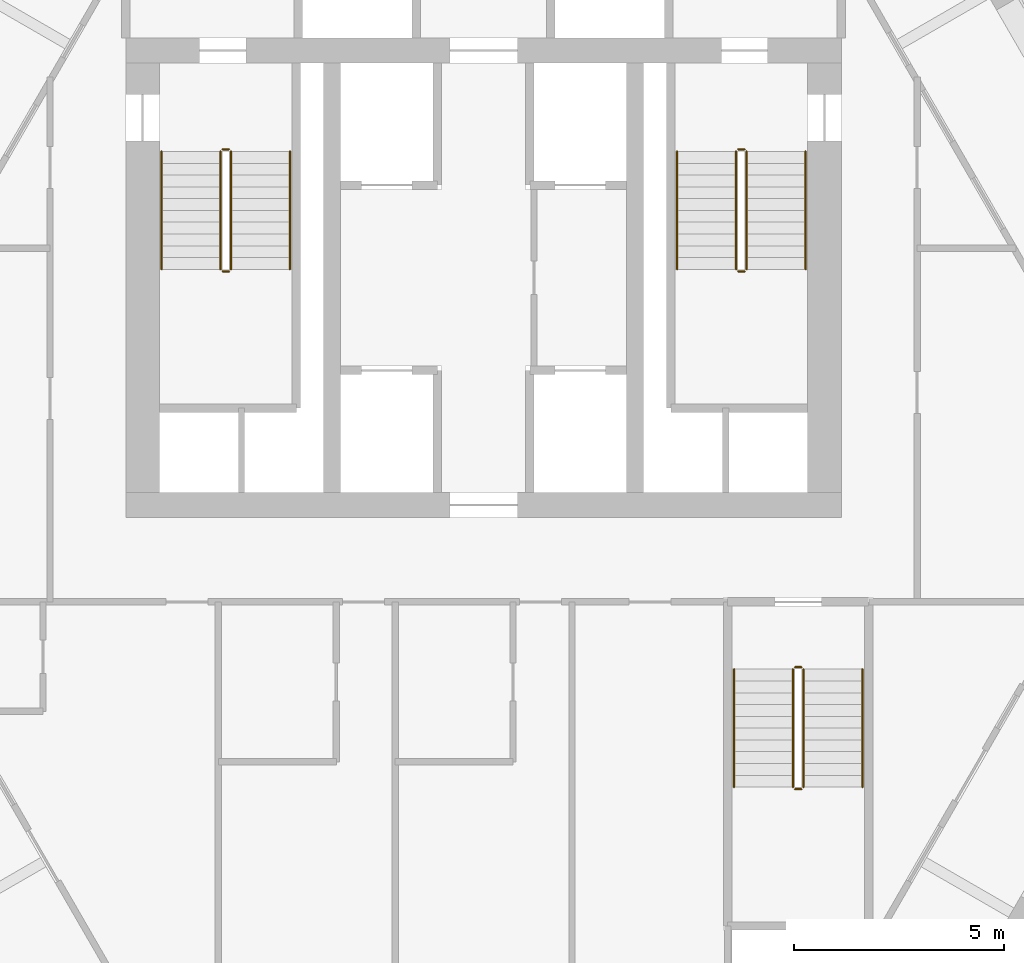
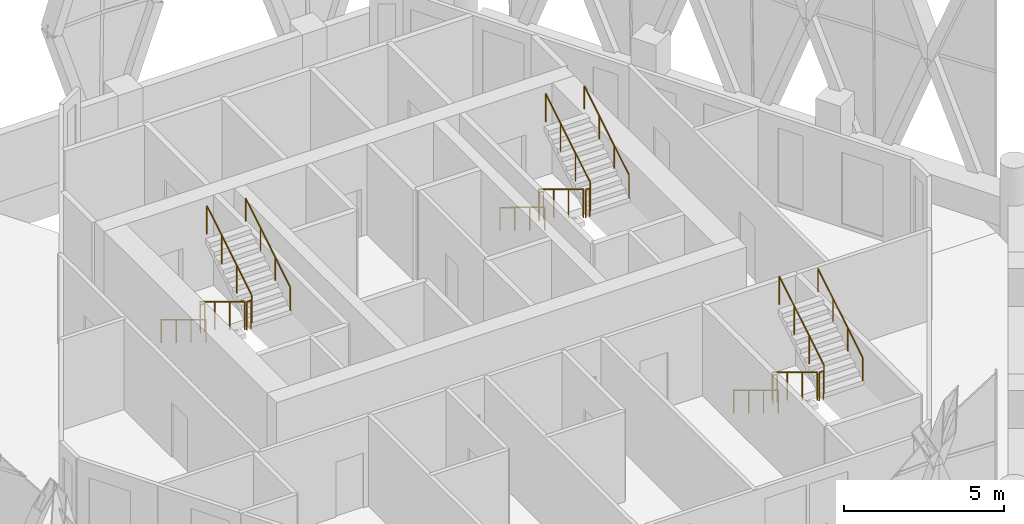
# One storey, part 22 of 22: 18 railings.
"""IFC4 building model written with IfcOpenShell, lengths in metres."""

import ifcopenshell
import ifcopenshell.guid

model = None  # the IFC model being written
_history = None  # IfcOwnerHistory: only IFC2X3 demands one
_inside = {}  # id of a spatial element -> (the spatial element, [elements in it])
_under = {}  # id of a project, library or spatial element -> (it, [spatial elements below it])
_declared = {}  # id of a project -> (the project, [libraries it declares])
_typed = {}  # id of a type object -> (the type object, [elements of that type])
_made_of = {}  # id of a material, layer set ... -> (it, [elements and type objects made of it])


def new_model(schema):
    """Start an empty IFC model of exactly this schema.

    Asked for "IFC4X3", IfcOpenShell would pick the latest addendum, in which some entities
    have other attributes; the version numbers below select the first issue.
    IFC2X3 requires an IfcOwnerHistory on every rooted entity: one is made here for all.
    """
    global model, _history
    if schema == "IFC4X3":
        model = ifcopenshell.file(schema_version=(4, 3, 0, 0))
    else:
        model = ifcopenshell.file(schema=schema)
    _inside.clear()
    _under.clear()
    _declared.clear()
    _typed.clear()
    _made_of.clear()
    _history = None
    if model.schema == "IFC2X3":
        org = make("IfcOrganization", Name="unknown")
        user = make(
            "IfcPersonAndOrganization",
            ThePerson=make("IfcPerson", FamilyName="unknown"),
            TheOrganization=org,
        )
        app = make(
            "IfcApplication",
            ApplicationDeveloper=org,
            Version="unknown",
            ApplicationFullName="unknown",
            ApplicationIdentifier="unknown",
        )
        _history = make(
            "IfcOwnerHistory",
            OwningUser=user,
            OwningApplication=app,
            ChangeAction="ADDED",
            CreationDate=0,
        )
    return model


def make(cls, **values):
    """One entity of the class cls with the attributes given. An attribute that is None is left unset."""
    return model.create_entity(
        cls, **{name: value for name, value in values.items() if value is not None}
    )


def rooted(cls, **values):
    """An entity with a GlobalId (a new one), such as an element, a storey or a relation."""
    return make(cls, GlobalId=ifcopenshell.guid.new(), OwnerHistory=_history, **values)


def si_unit(unit_type, name, prefix=None):
    """IfcSIUnit, for example si_unit("LENGTHUNIT", "METRE", prefix="MILLI")."""
    return make("IfcSIUnit", UnitType=unit_type, Prefix=prefix, Name=name)


def assignment(units):
    """IfcUnitAssignment: the units of a project."""
    return None if units is None else make("IfcUnitAssignment", Units=units)


def point(xyz):
    """IfcCartesianPoint."""
    return None if xyz is None else make("IfcCartesianPoint", Coordinates=xyz)


def direction(xyz):
    """IfcDirection."""
    return None if xyz is None else make("IfcDirection", DirectionRatios=xyz)


def frame(location, z_axis=None, x_axis=None):
    """IfcAxis2Placement3D, a coordinate frame: its origin and axes. An axis left out is left unset."""
    return make(
        "IfcAxis2Placement3D",
        Location=point(location),
        Axis=direction(z_axis),
        RefDirection=direction(x_axis),
    )


def frame_2d(location, x_axis=None):
    """IfcAxis2Placement2D, a coordinate frame in the plane: its origin and x axis."""
    return make(
        "IfcAxis2Placement2D", Location=point(location), RefDirection=direction(x_axis)
    )


def origin():
    """The frame at (0, 0, 0) with its axes left unset."""
    return frame((0.0, 0.0, 0.0))


def origin_2d():
    """The frame at (0, 0) in the plane with its x axis left unset."""
    return frame_2d((0.0, 0.0))


def place(relative_to, where):
    """IfcLocalPlacement: puts the frame where relative to a parent placement (None: the world)."""
    return make(
        "IfcLocalPlacement", PlacementRelTo=relative_to, RelativePlacement=where
    )


def context(
    kind, dimensions, precision=None, world=None, true_north=None, identifier=None
):
    """IfcGeometricRepresentationContext, for example the 3D "Model" context."""
    return make(
        "IfcGeometricRepresentationContext",
        ContextIdentifier=identifier,
        ContextType=kind,
        CoordinateSpaceDimension=dimensions,
        Precision=precision,
        WorldCoordinateSystem=world,
        TrueNorth=true_north,
    )


def subcontext(parent, identifier, kind, view, scale=None):
    """IfcGeometricRepresentationSubContext, for example "Body" below "Model"."""
    return make(
        "IfcGeometricRepresentationSubContext",
        ContextIdentifier=identifier,
        ContextType=kind,
        ParentContext=parent,
        TargetScale=scale,
        TargetView=view,
    )


def project(units=None, contexts=None):
    """IfcProject with its units and contexts."""
    return rooted(
        "IfcProject",
        Name="project",
        RepresentationContexts=contexts,
        UnitsInContext=assignment(units),
    )


def spatial(cls, under=None, at=None, **own):
    """A site, building, storey or space (cls), placed at a placement, below another one or the project."""
    s = rooted(cls, ObjectPlacement=at, **own)
    if under is not None:
        _under.setdefault(under.id(), (under, []))[1].append(s)
    return s


def profile(cls, at=None, kind="AREA", **sizes):
    """A parametric profile (cls). Its sizes go by their IFC names, for example OverallWidth=200.0."""
    return make(cls, ProfileType=kind, Position=at, **sizes)


def circle(**sizes):
    """IfcCircleProfileDef."""
    return profile("IfcCircleProfileDef", **sizes)


def extrude(swept, where, along, depth):
    """IfcExtrudedAreaSolid: the profile swept, set in the frame where, extruded along a direction by depth."""
    return make(
        "IfcExtrudedAreaSolid",
        SweptArea=swept,
        Position=where,
        ExtrudedDirection=direction(along),
        Depth=depth,
    )


def shape(context_of_items, identifier, shape_type, items):
    """IfcShapeRepresentation: the items that make up one representation, for example the "Body"."""
    return make(
        "IfcShapeRepresentation",
        ContextOfItems=context_of_items,
        RepresentationIdentifier=identifier,
        RepresentationType=shape_type,
        Items=items,
    )


def material(Name=None, Category=None):
    """IfcMaterial."""
    return make("IfcMaterial", Name=Name, Category=Category)


def made_of(thing, what):
    """Note that an element or type object is made of a material, layer set ...; save() writes the relation."""
    if what is not None:
        _made_of.setdefault(what.id(), (what, []))[1].append(thing)
    return thing


def type_object(cls, material=None, **own):
    """A type object (cls), such as IfcWallType, which elements share."""
    return made_of(rooted(cls, **own), material)


def element(
    cls,
    number,
    at=None,
    inside=None,
    cuts=None,
    type_object=None,
    material=None,
    context=None,
    identifier="Body",
    shape_type=None,
    held_by="IfcProductDefinitionShape",
    body=None,
    shapes=None,
    **own,
):
    """One element of the class cls, such as IfcWall. Its Tag is "e" and its number.

    at: its placement. inside: the storey or other place that contains it. cuts: it is an
    opening in that element (IfcRelVoidsElement). A single representation is given by context,
    identifier, shape_type and body (its items); several are given by shapes. held_by: the class
    of the entity that holds the representations. save() writes the other relations.
    """
    e = rooted(cls, Tag="e%d" % number, ObjectPlacement=at, **own)
    if body is not None:
        shapes = [shape(context, identifier, shape_type, body)]
    if shapes is not None:
        e.Representation = make(held_by, Representations=shapes)
    if inside is not None:
        _inside.setdefault(inside.id(), (inside, []))[1].append(e)
    if cuts is not None:
        rooted(
            "IfcRelVoidsElement", RelatingBuildingElement=cuts, RelatedOpeningElement=e
        )
    if type_object is not None:
        _typed.setdefault(type_object.id(), (type_object, []))[1].append(e)
    return made_of(e, material)


def aggregate(whole, parts):
    """IfcRelAggregates: a whole, such as a stair, and the parts it consists of."""
    return rooted("IfcRelAggregates", RelatingObject=whole, RelatedObjects=parts)


def save(model, path):
    """Write the relations noted so far, then the file.

    IfcRelAggregates (storeys below a building ...), IfcRelContainedInSpatialStructure (elements
    in a storey), IfcRelDefinesByType, IfcRelAssociatesMaterial and IfcRelDeclares: one each for
    every whole, place, type object, material and project.
    """
    for whole, parts in _under.values():
        aggregate(whole, parts)
    for where, things in _inside.values():
        rooted(
            "IfcRelContainedInSpatialStructure",
            RelatedElements=things,
            RelatingStructure=where,
        )
    for kind, things in _typed.values():
        rooted("IfcRelDefinesByType", RelatedObjects=things, RelatingType=kind)
    for what, things in _made_of.values():
        rooted("IfcRelAssociatesMaterial", RelatedObjects=things, RelatingMaterial=what)
    for by, libraries in _declared.values():
        rooted("IfcRelDeclares", RelatingContext=by, RelatedDefinitions=libraries)
    model.write(path)


model = new_model("IFC4")

# Units and contexts
model_context = context("Model", 3, precision=1e-05, world=origin(), true_north=direction((0.0, 1.0)))
body_context = subcontext(model_context, "Body", "Model", "MODEL_VIEW")
ifc_project = project(units=[si_unit("LENGTHUNIT", "METRE"), si_unit("AREAUNIT", "SQUARE_METRE"), si_unit("VOLUMEUNIT", "CUBIC_METRE"), si_unit("PLANEANGLEUNIT", "RADIAN"), si_unit("MASSUNIT", "GRAM", prefix="KILO")], contexts=[model_context])

# Site, building, storey
site_placement = place(None, origin())
site = spatial("IfcSite", under=ifc_project, at=site_placement, CompositionType="ELEMENT")
building_placement = place(site_placement, origin())
building = spatial("IfcBuilding", under=site, at=building_placement, Name="Ostrander Bayou Hotel Tower", CompositionType="ELEMENT")
storey_placement = place(building_placement, frame((0.0, 0.0, 245.0)))
storey = spatial("IfcBuildingStorey", under=building, at=storey_placement, Name="L60", CompositionType="ELEMENT", Elevation=245.0)

# Railings
ifc_material_1 = material(Name="Steel ASTM A500 Gr C", Category="steel")
railing_type_1 = type_object("IfcRailingType", Name="GR1 stair guard 1100 mm steel", PredefinedType="GUARDRAIL", material=ifc_material_1)
railing_1_placement = place(storey_placement, frame((-6.25, 7.0, 0.17041015625)))
element("IfcRailing", 1, at=railing_1_placement, inside=storey, type_object=railing_type_1, Name="L60 STA stair guard 1", PredefinedType="GUARDRAIL", context=body_context, shape_type="SweptSolid", body=[
    extrude(circle(Radius=0.02392578125, at=origin_2d()), frame((0.0, 0.0, 1.076171875), z_axis=(0.0, -0.854169791009, 0.51999420009), x_axis=(1.0, 0.0, 0.0)), (0.0, 0.0, 1.0), 3.278076171875),
    extrude(circle(Radius=0.02099609375, at=origin_2d()), origin(), (0.0, 0.0, 1.0), 1.052001953125),
    extrude(circle(Radius=0.02099609375, at=origin_2d()), frame((0.0, -0.933349609375, 0.568115234375)), (0.0, 0.0, 1.0), 1.052001953125),
    extrude(circle(Radius=0.02099609375, at=origin_2d()), frame((0.0, -1.86669921875, 1.136474609375)), (0.0, 0.0, 1.0), 1.052001953125),
    extrude(circle(Radius=0.02099609375, at=origin_2d()), frame((0.0, -2.800048828125, 1.70458984375)), (0.0, 0.0, 1.0), 1.052001953125),
])
railing_2_placement = place(storey_placement, frame((-6.199951171875, 4.14990234375, 1.875)))
element("IfcRailing", 2, at=railing_2_placement, inside=storey, type_object=railing_type_1, Name="L60 STA stair guard 2", PredefinedType="GUARDRAIL", context=body_context, shape_type="SweptSolid", body=[
    extrude(circle(Radius=0.02392578125, at=origin_2d()), frame((0.0, 0.0, 1.076171875), z_axis=(1.0, 0.0, 0.0), x_axis=(0.0, 1.0, 0.0)), (0.0, 0.0, 1.0), 0.14990234375),
    extrude(circle(Radius=0.02099609375, at=origin_2d()), origin(), (0.0, 0.0, 1.0), 1.052001953125),
    extrude(circle(Radius=0.02099609375, at=origin_2d()), frame((0.14990234375, 0.0, 0.0)), (0.0, 0.0, 1.0), 1.052001953125),
])
railing_3_placement = place(storey_placement, frame((-6.0, 4.199951171875, 2.04541015625)))
element("IfcRailing", 3, at=railing_3_placement, inside=storey, type_object=railing_type_1, Name="L60 STA stair guard 3", PredefinedType="GUARDRAIL", context=body_context, shape_type="SweptSolid", body=[
    extrude(circle(Radius=0.02392578125, at=origin_2d()), frame((0.0, 0.0, 1.076171875), z_axis=(0.0, 0.854169791009, 0.51999420009), x_axis=(-1.0, 0.0, 0.0)), (0.0, 0.0, 1.0), 3.278076171875),
    extrude(circle(Radius=0.02099609375, at=origin_2d()), origin(), (0.0, 0.0, 1.0), 1.052001953125),
    extrude(circle(Radius=0.02099609375, at=origin_2d()), frame((0.0, 0.933349609375, 0.568115234375)), (0.0, 0.0, 1.0), 1.052001953125),
    extrude(circle(Radius=0.02099609375, at=origin_2d()), frame((0.0, 1.86669921875, 1.136474609375)), (0.0, 0.0, 1.0), 1.052001953125),
    extrude(circle(Radius=0.02099609375, at=origin_2d()), frame((0.0, 2.800048828125, 1.70458984375)), (0.0, 0.0, 1.0), 1.052001953125),
])
railing_4_placement = place(storey_placement, frame((-6.199951171875, 7.050048828125, 0.0)))
element("IfcRailing", 4, at=railing_4_placement, inside=storey, type_object=railing_type_1, Name="L60 STA stair guard 4", PredefinedType="GUARDRAIL", context=body_context, shape_type="SweptSolid", body=[
    extrude(circle(Radius=0.02392578125, at=origin_2d()), frame((0.0, 0.0, 1.076171875), z_axis=(1.0, 0.0, 0.0), x_axis=(0.0, 1.0, 0.0)), (0.0, 0.0, 1.0), 0.14990234375),
    extrude(circle(Radius=0.02099609375, at=origin_2d()), origin(), (0.0, 0.0, 1.0), 1.052001953125),
    extrude(circle(Radius=0.02099609375, at=origin_2d()), frame((0.14990234375, 0.0, 0.0)), (0.0, 0.0, 1.0), 1.052001953125),
])
railing_5_placement = place(storey_placement, frame((6.0, 7.0, 0.17041015625)))
element("IfcRailing", 5, at=railing_5_placement, inside=storey, type_object=railing_type_1, Name="L60 STB stair guard 1", PredefinedType="GUARDRAIL", context=body_context, shape_type="SweptSolid", body=[
    extrude(circle(Radius=0.02392578125, at=origin_2d()), frame((0.0, 0.0, 1.076171875), z_axis=(0.0, -0.854169791009, 0.51999420009), x_axis=(1.0, 0.0, 0.0)), (0.0, 0.0, 1.0), 3.278076171875),
    extrude(circle(Radius=0.02099609375, at=origin_2d()), origin(), (0.0, 0.0, 1.0), 1.052001953125),
    extrude(circle(Radius=0.02099609375, at=origin_2d()), frame((0.0, -0.933349609375, 0.568115234375)), (0.0, 0.0, 1.0), 1.052001953125),
    extrude(circle(Radius=0.02099609375, at=origin_2d()), frame((0.0, -1.86669921875, 1.136474609375)), (0.0, 0.0, 1.0), 1.052001953125),
    extrude(circle(Radius=0.02099609375, at=origin_2d()), frame((0.0, -2.800048828125, 1.70458984375)), (0.0, 0.0, 1.0), 1.052001953125),
])
railing_6_placement = place(storey_placement, frame((6.050048828125, 4.14990234375, 1.875)))
element("IfcRailing", 6, at=railing_6_placement, inside=storey, type_object=railing_type_1, Name="L60 STB stair guard 2", PredefinedType="GUARDRAIL", context=body_context, shape_type="SweptSolid", body=[
    extrude(circle(Radius=0.02392578125, at=origin_2d()), frame((0.0, 0.0, 1.076171875), z_axis=(1.0, 0.0, 0.0), x_axis=(0.0, 1.0, 0.0)), (0.0, 0.0, 1.0), 0.14990234375),
    extrude(circle(Radius=0.02099609375, at=origin_2d()), origin(), (0.0, 0.0, 1.0), 1.052001953125),
    extrude(circle(Radius=0.02099609375, at=origin_2d()), frame((0.14990234375, 0.0, 0.0)), (0.0, 0.0, 1.0), 1.052001953125),
])
railing_7_placement = place(storey_placement, frame((6.25, 4.199951171875, 2.04541015625)))
element("IfcRailing", 7, at=railing_7_placement, inside=storey, type_object=railing_type_1, Name="L60 STB stair guard 3", PredefinedType="GUARDRAIL", context=body_context, shape_type="SweptSolid", body=[
    extrude(circle(Radius=0.02392578125, at=origin_2d()), frame((0.0, 0.0, 1.076171875), z_axis=(0.0, 0.854169791009, 0.51999420009), x_axis=(-1.0, 0.0, 0.0)), (0.0, 0.0, 1.0), 3.278076171875),
    extrude(circle(Radius=0.02099609375, at=origin_2d()), origin(), (0.0, 0.0, 1.0), 1.052001953125),
    extrude(circle(Radius=0.02099609375, at=origin_2d()), frame((0.0, 0.933349609375, 0.568115234375)), (0.0, 0.0, 1.0), 1.052001953125),
    extrude(circle(Radius=0.02099609375, at=origin_2d()), frame((0.0, 1.86669921875, 1.136474609375)), (0.0, 0.0, 1.0), 1.052001953125),
    extrude(circle(Radius=0.02099609375, at=origin_2d()), frame((0.0, 2.800048828125, 1.70458984375)), (0.0, 0.0, 1.0), 1.052001953125),
])
railing_8_placement = place(storey_placement, frame((6.050048828125, 7.050048828125, 0.0)))
element("IfcRailing", 8, at=railing_8_placement, inside=storey, type_object=railing_type_1, Name="L60 STB stair guard 4", PredefinedType="GUARDRAIL", context=body_context, shape_type="SweptSolid", body=[
    extrude(circle(Radius=0.02392578125, at=origin_2d()), frame((0.0, 0.0, 1.076171875), z_axis=(1.0, 0.0, 0.0), x_axis=(0.0, 1.0, 0.0)), (0.0, 0.0, 1.0), 0.14990234375),
    extrude(circle(Radius=0.02099609375, at=origin_2d()), origin(), (0.0, 0.0, 1.0), 1.052001953125),
    extrude(circle(Radius=0.02099609375, at=origin_2d()), frame((0.14990234375, 0.0, 0.0)), (0.0, 0.0, 1.0), 1.052001953125),
])
railing_9_placement = place(storey_placement, frame((7.35009765625, -5.300048828125, 0.17041015625)))
element("IfcRailing", 9, at=railing_9_placement, inside=storey, type_object=railing_type_1, Name="L60 STC stair guard 1", PredefinedType="GUARDRAIL", context=body_context, shape_type="SweptSolid", body=[
    extrude(circle(Radius=0.02392578125, at=origin_2d()), frame((0.0, 0.0, 1.076171875), z_axis=(0.0, -0.854169791009, 0.51999420009), x_axis=(1.0, 0.0, 0.0)), (0.0, 0.0, 1.0), 3.278076171875),
    extrude(circle(Radius=0.02099609375, at=origin_2d()), origin(), (0.0, 0.0, 1.0), 1.052001953125),
    extrude(circle(Radius=0.02099609375, at=origin_2d()), frame((0.0, -0.933349609375, 0.568115234375)), (0.0, 0.0, 1.0), 1.052001953125),
    extrude(circle(Radius=0.02099609375, at=origin_2d()), frame((0.0, -1.86669921875, 1.136474609375)), (0.0, 0.0, 1.0), 1.052001953125),
    extrude(circle(Radius=0.02099609375, at=origin_2d()), frame((0.0, -2.800048828125, 1.70458984375)), (0.0, 0.0, 1.0), 1.052001953125),
])
railing_10_placement = place(storey_placement, frame((7.39990234375, -8.14990234375, 1.875)))
element("IfcRailing", 10, at=railing_10_placement, inside=storey, type_object=railing_type_1, Name="L60 STC stair guard 2", PredefinedType="GUARDRAIL", context=body_context, shape_type="SweptSolid", body=[
    extrude(circle(Radius=0.02392578125, at=origin_2d()), frame((0.0, 0.0, 1.076171875), z_axis=(1.0, 0.0, 0.0), x_axis=(0.0, 1.0, 0.0)), (0.0, 0.0, 1.0), 0.150146484375),
    extrude(circle(Radius=0.02099609375, at=origin_2d()), origin(), (0.0, 0.0, 1.0), 1.052001953125),
    extrude(circle(Radius=0.02099609375, at=origin_2d()), frame((0.150146484375, 0.0, 0.0)), (0.0, 0.0, 1.0), 1.052001953125),
])
railing_11_placement = place(storey_placement, frame((7.60009765625, -8.10009765625, 2.04541015625)))
element("IfcRailing", 11, at=railing_11_placement, inside=storey, type_object=railing_type_1, Name="L60 STC stair guard 3", PredefinedType="GUARDRAIL", context=body_context, shape_type="SweptSolid", body=[
    extrude(circle(Radius=0.02392578125, at=origin_2d()), frame((0.0, 0.0, 1.076171875), z_axis=(0.0, 0.854169791009, 0.51999420009), x_axis=(-1.0, 0.0, 0.0)), (0.0, 0.0, 1.0), 3.278076171875),
    extrude(circle(Radius=0.02099609375, at=origin_2d()), origin(), (0.0, 0.0, 1.0), 1.052001953125),
    extrude(circle(Radius=0.02099609375, at=origin_2d()), frame((0.0, 0.933349609375, 0.568115234375)), (0.0, 0.0, 1.0), 1.052001953125),
    extrude(circle(Radius=0.02099609375, at=origin_2d()), frame((0.0, 1.86669921875, 1.136474609375)), (0.0, 0.0, 1.0), 1.052001953125),
    extrude(circle(Radius=0.02099609375, at=origin_2d()), frame((0.0, 2.800048828125, 1.70458984375)), (0.0, 0.0, 1.0), 1.052001953125),
])
railing_12_placement = place(storey_placement, frame((7.39990234375, -5.25, 0.0)))
element("IfcRailing", 12, at=railing_12_placement, inside=storey, type_object=railing_type_1, Name="L60 STC stair guard 4", PredefinedType="GUARDRAIL", context=body_context, shape_type="SweptSolid", body=[
    extrude(circle(Radius=0.02392578125, at=origin_2d()), frame((0.0, 0.0, 1.076171875), z_axis=(1.0, 0.0, 0.0), x_axis=(0.0, 1.0, 0.0)), (0.0, 0.0, 1.0), 0.150146484375),
    extrude(circle(Radius=0.02099609375, at=origin_2d()), origin(), (0.0, 0.0, 1.0), 1.052001953125),
    extrude(circle(Radius=0.02099609375, at=origin_2d()), frame((0.150146484375, 0.0, 0.0)), (0.0, 0.0, 1.0), 1.052001953125),
])
ifc_material_2 = material(Name="Steel ASTM A500 Gr C", Category="steel")
railing_type_2 = type_object("IfcRailingType", Name="HR1 stair handrail 900 mm steel", PredefinedType="HANDRAIL", material=ifc_material_2)
railing_13_placement = place(storey_placement, frame((-7.64990234375, 7.0, 0.17041015625)))
element("IfcRailing", 13, at=railing_13_placement, inside=storey, type_object=railing_type_2, Name="L60 STA stair handrail 1", PredefinedType="HANDRAIL", context=body_context, shape_type="SweptSolid", body=[
    extrude(circle(Radius=0.02392578125, at=origin_2d()), frame((0.0, 0.0, 0.8759765625), z_axis=(0.0, -0.854169791009, 0.51999420009), x_axis=(1.0, 0.0, 0.0)), (0.0, 0.0, 1.0), 3.278076171875),
    extrude(circle(Radius=0.02099609375, at=origin_2d()), origin(), (0.0, 0.0, 1.0), 0.851806640625),
    extrude(circle(Radius=0.02099609375, at=origin_2d()), frame((0.0, -0.933349609375, 0.568115234375)), (0.0, 0.0, 1.0), 0.851806640625),
    extrude(circle(Radius=0.02099609375, at=origin_2d()), frame((0.0, -1.86669921875, 1.136474609375)), (0.0, 0.0, 1.0), 0.851806640625),
    extrude(circle(Radius=0.02099609375, at=origin_2d()), frame((0.0, -2.800048828125, 1.70458984375)), (0.0, 0.0, 1.0), 0.851806640625),
])
railing_14_placement = place(storey_placement, frame((-4.60009765625, 4.199951171875, 2.04541015625)))
element("IfcRailing", 14, at=railing_14_placement, inside=storey, type_object=railing_type_2, Name="L60 STA stair handrail 2", PredefinedType="HANDRAIL", context=body_context, shape_type="SweptSolid", body=[
    extrude(circle(Radius=0.02392578125, at=origin_2d()), frame((0.0, 0.0, 0.8759765625), z_axis=(0.0, 0.854169791009, 0.51999420009), x_axis=(-1.0, 0.0, 0.0)), (0.0, 0.0, 1.0), 3.278076171875),
    extrude(circle(Radius=0.02099609375, at=origin_2d()), origin(), (0.0, 0.0, 1.0), 0.851806640625),
    extrude(circle(Radius=0.02099609375, at=origin_2d()), frame((0.0, 0.933349609375, 0.568115234375)), (0.0, 0.0, 1.0), 0.851806640625),
    extrude(circle(Radius=0.02099609375, at=origin_2d()), frame((0.0, 1.86669921875, 1.136474609375)), (0.0, 0.0, 1.0), 0.851806640625),
    extrude(circle(Radius=0.02099609375, at=origin_2d()), frame((0.0, 2.800048828125, 1.70458984375)), (0.0, 0.0, 1.0), 0.851806640625),
])
railing_15_placement = place(storey_placement, frame((4.60009765625, 7.0, 0.17041015625)))
element("IfcRailing", 15, at=railing_15_placement, inside=storey, type_object=railing_type_2, Name="L60 STB stair handrail 1", PredefinedType="HANDRAIL", context=body_context, shape_type="SweptSolid", body=[
    extrude(circle(Radius=0.02392578125, at=origin_2d()), frame((0.0, 0.0, 0.8759765625), z_axis=(0.0, -0.854169791009, 0.51999420009), x_axis=(1.0, 0.0, 0.0)), (0.0, 0.0, 1.0), 3.278076171875),
    extrude(circle(Radius=0.02099609375, at=origin_2d()), origin(), (0.0, 0.0, 1.0), 0.851806640625),
    extrude(circle(Radius=0.02099609375, at=origin_2d()), frame((0.0, -0.933349609375, 0.568115234375)), (0.0, 0.0, 1.0), 0.851806640625),
    extrude(circle(Radius=0.02099609375, at=origin_2d()), frame((0.0, -1.86669921875, 1.136474609375)), (0.0, 0.0, 1.0), 0.851806640625),
    extrude(circle(Radius=0.02099609375, at=origin_2d()), frame((0.0, -2.800048828125, 1.70458984375)), (0.0, 0.0, 1.0), 0.851806640625),
])
railing_16_placement = place(storey_placement, frame((7.64990234375, 4.199951171875, 2.04541015625)))
element("IfcRailing", 16, at=railing_16_placement, inside=storey, type_object=railing_type_2, Name="L60 STB stair handrail 2", PredefinedType="HANDRAIL", context=body_context, shape_type="SweptSolid", body=[
    extrude(circle(Radius=0.02392578125, at=origin_2d()), frame((0.0, 0.0, 0.8759765625), z_axis=(0.0, 0.854169791009, 0.51999420009), x_axis=(-1.0, 0.0, 0.0)), (0.0, 0.0, 1.0), 3.278076171875),
    extrude(circle(Radius=0.02099609375, at=origin_2d()), origin(), (0.0, 0.0, 1.0), 0.851806640625),
    extrude(circle(Radius=0.02099609375, at=origin_2d()), frame((0.0, 0.933349609375, 0.568115234375)), (0.0, 0.0, 1.0), 0.851806640625),
    extrude(circle(Radius=0.02099609375, at=origin_2d()), frame((0.0, 1.86669921875, 1.136474609375)), (0.0, 0.0, 1.0), 0.851806640625),
    extrude(circle(Radius=0.02099609375, at=origin_2d()), frame((0.0, 2.800048828125, 1.70458984375)), (0.0, 0.0, 1.0), 0.851806640625),
])
railing_17_placement = place(storey_placement, frame((5.949951171875, -5.300048828125, 0.17041015625)))
element("IfcRailing", 17, at=railing_17_placement, inside=storey, type_object=railing_type_2, Name="L60 STC stair handrail 1", PredefinedType="HANDRAIL", context=body_context, shape_type="SweptSolid", body=[
    extrude(circle(Radius=0.02392578125, at=origin_2d()), frame((0.0, 0.0, 0.8759765625), z_axis=(0.0, -0.854169791009, 0.51999420009), x_axis=(1.0, 0.0, 0.0)), (0.0, 0.0, 1.0), 3.278076171875),
    extrude(circle(Radius=0.02099609375, at=origin_2d()), origin(), (0.0, 0.0, 1.0), 0.851806640625),
    extrude(circle(Radius=0.02099609375, at=origin_2d()), frame((0.0, -0.933349609375, 0.568115234375)), (0.0, 0.0, 1.0), 0.851806640625),
    extrude(circle(Radius=0.02099609375, at=origin_2d()), frame((0.0, -1.86669921875, 1.136474609375)), (0.0, 0.0, 1.0), 0.851806640625),
    extrude(circle(Radius=0.02099609375, at=origin_2d()), frame((0.0, -2.800048828125, 1.70458984375)), (0.0, 0.0, 1.0), 0.851806640625),
])
railing_18_placement = place(storey_placement, frame((9.0, -8.10009765625, 2.04541015625)))
element("IfcRailing", 18, at=railing_18_placement, inside=storey, type_object=railing_type_2, Name="L60 STC stair handrail 2", PredefinedType="HANDRAIL", context=body_context, shape_type="SweptSolid", body=[
    extrude(circle(Radius=0.02392578125, at=origin_2d()), frame((0.0, 0.0, 0.8759765625), z_axis=(0.0, 0.854169791009, 0.51999420009), x_axis=(-1.0, 0.0, 0.0)), (0.0, 0.0, 1.0), 3.278076171875),
    extrude(circle(Radius=0.02099609375, at=origin_2d()), origin(), (0.0, 0.0, 1.0), 0.851806640625),
    extrude(circle(Radius=0.02099609375, at=origin_2d()), frame((0.0, 0.933349609375, 0.568115234375)), (0.0, 0.0, 1.0), 0.851806640625),
    extrude(circle(Radius=0.02099609375, at=origin_2d()), frame((0.0, 1.86669921875, 1.136474609375)), (0.0, 0.0, 1.0), 0.851806640625),
    extrude(circle(Radius=0.02099609375, at=origin_2d()), frame((0.0, 2.800048828125, 1.70458984375)), (0.0, 0.0, 1.0), 0.851806640625),
])

save(model, "model.ifc")
